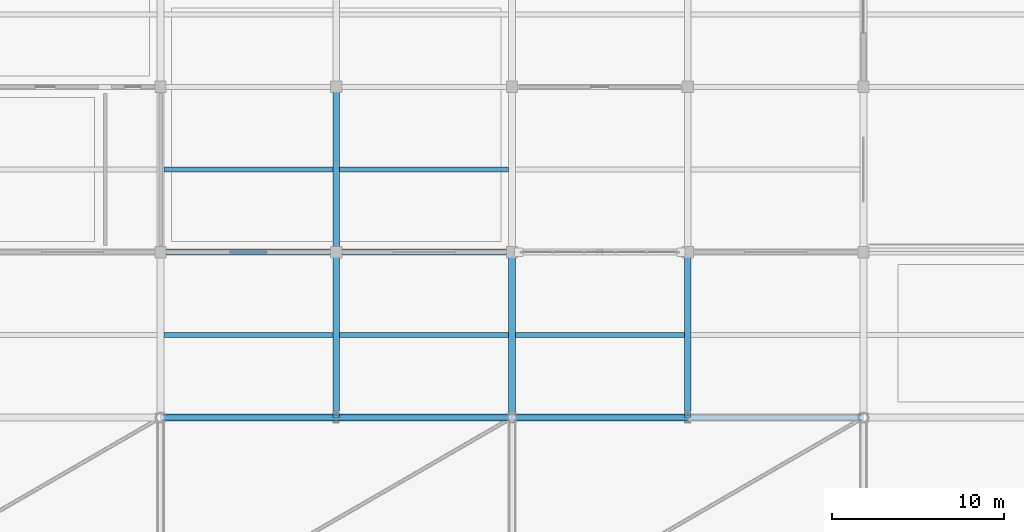
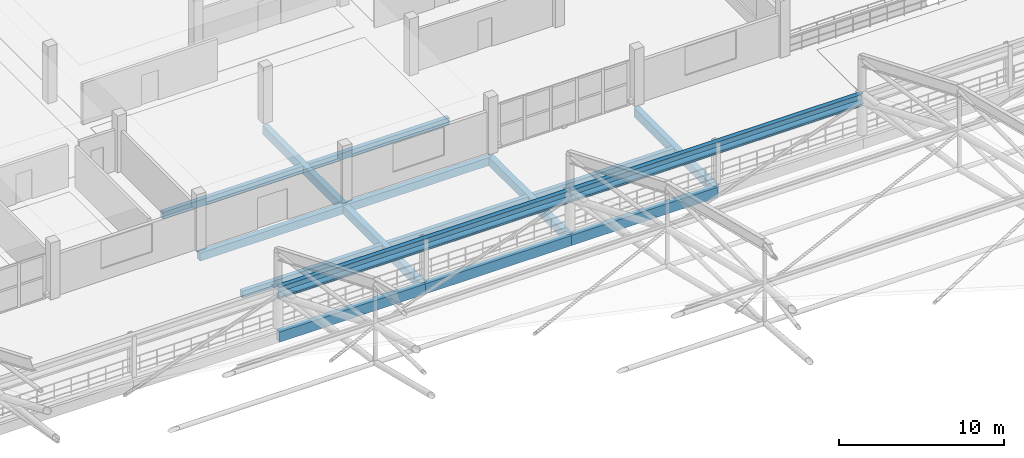
# One storey, part 43 of 135: 16 beams, 2 members.
"""IFC4 building model written with IfcOpenShell, lengths in metres."""

from ifc_helpers import new_model, si_unit, direction, frame, origin, origin_2d, place, context, subcontext, project, spatial, rectangle, hollow_circle, i_section, extrude, material, material_profile, profile_set, type_object, element, save


model = new_model("IFC4")

# Units and contexts
model_context = context("Model", 3, precision=1e-05, world=origin(), true_north=direction((0.0, 1.0)))
body_context = subcontext(model_context, "Body", "Model", "MODEL_VIEW")
ifc_project = project(units=[si_unit("LENGTHUNIT", "METRE"), si_unit("AREAUNIT", "SQUARE_METRE"), si_unit("VOLUMEUNIT", "CUBIC_METRE"), si_unit("PLANEANGLEUNIT", "RADIAN"), si_unit("MASSUNIT", "GRAM", prefix="KILO")], contexts=[model_context])

# Site, building, storey
site_placement = place(None, origin())
site = spatial("IfcSite", under=ifc_project, at=site_placement, CompositionType="ELEMENT")
building_placement = place(site_placement, origin())
building = spatial("IfcBuilding", under=site, at=building_placement, Name="Brelvane Convention Centre", CompositionType="ELEMENT")
storey_placement = place(building_placement, frame((0.0, 0.0, 15.0)))
storey = spatial("IfcBuildingStorey", under=building, at=storey_placement, Name="L03", CompositionType="ELEMENT", Elevation=15.0)

# Beams
ifc_material_1 = material(Name="Concrete M40", Category="concrete")
ifc_material_profile_1 = material_profile(ifc_material_1, rectangle(XDim=0.39990234375, YDim=0.75, at=origin_2d()), Name="RC 400x750")
ifc_profile_set_1 = profile_set([ifc_material_profile_1], Name="Concrete M40")
beam_type_1 = type_object("IfcBeamType", Name="RC Beam B-RC6 (RC 400x750)", PredefinedType="BEAM", material=ifc_profile_set_1)
beam_1_placement = place(storey_placement, frame((61.199951171875, 99.60009765625, -0.68505859375), z_axis=(1.0, 0.0, 0.0), x_axis=(0.0, 1.0, 0.0)))
element("IfcBeam", 1, at=beam_1_placement, inside=storey, type_object=beam_type_1, Name="L03 Beam 7-8/K", PredefinedType="BEAM", context=body_context, shape_type="SweptSolid", body=[
    extrude(rectangle(XDim=0.39990234375, YDim=0.75, at=origin_2d()), origin(), (0.0, 0.0, 1.0), 10.199951171875),
])
beam_2_placement = place(storey_placement, frame((71.39990234375, 99.60009765625, -0.68505859375), z_axis=(1.0, 0.0, 0.0), x_axis=(0.0, 1.0, 0.0)))
element("IfcBeam", 2, at=beam_2_placement, inside=storey, type_object=beam_type_1, Name="L03 Beam 8-9/K", PredefinedType="BEAM", context=body_context, shape_type="SweptSolid", body=[
    extrude(rectangle(XDim=0.39990234375, YDim=0.75, at=origin_2d()), origin(), (0.0, 0.0, 1.0), 10.2001953125),
])
beam_3_placement = place(storey_placement, frame((81.60009765625, 99.60009765625, -0.68505859375), z_axis=(1.0, 0.0, 0.0), x_axis=(0.0, 1.0, 0.0)))
element("IfcBeam", 3, at=beam_3_placement, inside=storey, type_object=beam_type_1, Name="L03 Beam 9-10/K", PredefinedType="BEAM", context=body_context, shape_type="SweptSolid", body=[
    extrude(rectangle(XDim=0.39990234375, YDim=0.75, at=origin_2d()), origin(), (0.0, 0.0, 1.0), 10.199951171875),
])
ifc_material_2 = material(Name="Concrete M40", Category="concrete")
ifc_material_profile_2 = material_profile(ifc_material_2, rectangle(XDim=0.39990234375, YDim=0.64990234375, at=origin_2d()), Name="RC 400x650")
ifc_profile_set_2 = profile_set([ifc_material_profile_2], Name="Concrete M40")
beam_type_2 = type_object("IfcBeamType", Name="RC Beam B-RC7 (RC 400x650)", PredefinedType="BEAM", material=ifc_profile_set_2)
beam_4_placement = place(storey_placement, frame((71.39990234375, 99.60009765625, -0.635009765625), z_axis=(0.0, 1.0, 0.0), x_axis=(-1.0, 0.0, 0.0)))
element("IfcBeam", 4, at=beam_4_placement, inside=storey, type_object=beam_type_2, Name="L03 Girder 8/K-L", PredefinedType="BEAM", context=body_context, shape_type="SweptSolid", body=[
    extrude(rectangle(XDim=0.39990234375, YDim=0.64990234375, at=origin_2d()), origin(), (0.0, 0.0, 1.0), 9.599853515625),
])
beam_5_placement = place(storey_placement, frame((71.39990234375, 109.199951171875, -0.6201171875), z_axis=(0.0, 1.0, 0.0), x_axis=(-1.0, 0.0, 0.0)))
element("IfcBeam", 5, at=beam_5_placement, inside=storey, type_object=beam_type_2, Name="L03 Girder 8/L-M", PredefinedType="BEAM", context=body_context, shape_type="SweptSolid", body=[
    extrude(rectangle(XDim=0.39990234375, YDim=0.64990234375, at=origin_2d()), origin(), (0.0, 0.0, 1.0), 9.60009765625),
])
for number, where, z_axis, x_axis, name in (
    (6, (81.60009765625, 99.60009765625, -0.635009765625), (0.0, 1.0, 0.0), (-1.0, 0.0, 0.0), "L03 Girder 9/K-L"),
    (7, (91.800048828125, 99.60009765625, -0.635009765625), (0.0, 1.0, 0.0), (-1.0, 0.0, 0.0), "L03 Girder 10/K-L"),
):
    element("IfcBeam", number, at=place(storey_placement, frame(where, z_axis=z_axis, x_axis=x_axis)), inside=storey, type_object=beam_type_2, Name=name, PredefinedType="BEAM", context=body_context, shape_type="SweptSolid", body=[
        extrude(rectangle(XDim=0.39990234375, YDim=0.64990234375, at=origin_2d()), origin(), (0.0, 0.0, 1.0), 9.599853515625),
    ])
ifc_material_3 = material(Name="Concrete M40", Category="concrete")
ifc_material_profile_3 = material_profile(ifc_material_3, rectangle(XDim=0.300048828125, YDim=0.5, at=origin_2d()), Name="RC 300x500")
ifc_profile_set_3 = profile_set([ifc_material_profile_3], Name="Concrete M40")
beam_type_3 = type_object("IfcBeamType", Name="RC Joist J-RC2 (RC 300x500)", PredefinedType="JOIST", material=ifc_profile_set_3)
for number, where, z_axis, x_axis, name in (
    (8, (61.39990234375, 104.39990234375, -0.56005859375), (1.0, 0.0, 0.0), (0.0, 1.0, 0.0), "L03 Secondary Joist 7-8/KL"),
    (9, (61.39990234375, 114.0, -0.544921875), (1.0, 0.0, 0.0), (0.0, 1.0, 0.0), "L03 Secondary Joist 7-8/LM"),
):
    element("IfcBeam", number, at=place(storey_placement, frame(where, z_axis=z_axis, x_axis=x_axis)), inside=storey, type_object=beam_type_3, Name=name, PredefinedType="JOIST", context=body_context, shape_type="SweptSolid", body=[
        extrude(rectangle(XDim=0.300048828125, YDim=0.5, at=origin_2d()), origin(), (0.0, 0.0, 1.0), 9.800048828125),
    ])
for number, where, z_axis, x_axis, name in (
    (10, (71.60009765625, 104.39990234375, -0.56005859375), (1.0, 0.0, 0.0), (0.0, 1.0, 0.0), "L03 Secondary Joist 8-9/KL"),
    (11, (71.60009765625, 114.0, -0.544921875), (1.0, 0.0, 0.0), (0.0, 1.0, 0.0), "L03 Secondary Joist 8-9/LM"),
):
    element("IfcBeam", number, at=place(storey_placement, frame(where, z_axis=z_axis, x_axis=x_axis)), inside=storey, type_object=beam_type_3, Name=name, PredefinedType="JOIST", context=body_context, shape_type="SweptSolid", body=[
        extrude(rectangle(XDim=0.300048828125, YDim=0.5, at=origin_2d()), origin(), (0.0, 0.0, 1.0), 9.7998046875),
    ])
beam_6_placement = place(storey_placement, frame((81.800048828125, 104.39990234375, -0.56005859375), z_axis=(1.0, 0.0, 0.0), x_axis=(0.0, 1.0, 0.0)))
element("IfcBeam", 12, at=beam_6_placement, inside=storey, type_object=beam_type_3, Name="L03 Secondary Joist 9-10/KL", PredefinedType="JOIST", context=body_context, shape_type="SweptSolid", body=[
    extrude(rectangle(XDim=0.300048828125, YDim=0.5, at=origin_2d()), origin(), (0.0, 0.0, 1.0), 9.800048828125),
])
ifc_material_4 = material(Name="Concrete M40", Category="concrete")
ifc_material_profile_4 = material_profile(ifc_material_4, rectangle(XDim=0.35009765625, YDim=0.60009765625, at=origin_2d()), Name="RC 350x600")
ifc_profile_set_4 = profile_set([ifc_material_profile_4], Name="Concrete M40")
beam_type_4 = type_object("IfcBeamType", Name="RC Spandrel SP-RC2 (RC 350x600)", PredefinedType="SPANDREL", material=ifc_profile_set_4)
beam_7_placement = place(storey_placement, frame((61.199951171875, 109.199951171875, -0.610107421875), z_axis=(1.0, 0.0, 0.0), x_axis=(0.0, 1.0, 0.0)))
element("IfcBeam", 13, at=beam_7_placement, inside=storey, type_object=beam_type_4, Name="L03 Beam 7-8/L", PredefinedType="SPANDREL", context=body_context, shape_type="SweptSolid", body=[
    extrude(rectangle(XDim=0.35009765625, YDim=0.60009765625, at=origin_2d()), origin(), (0.0, 0.0, 1.0), 10.199951171875),
])
beam_8_placement = place(storey_placement, frame((71.39990234375, 109.199951171875, -0.610107421875), z_axis=(1.0, 0.0, 0.0), x_axis=(0.0, 1.0, 0.0)))
element("IfcBeam", 14, at=beam_8_placement, inside=storey, type_object=beam_type_4, Name="L03 Beam 8-9/L", PredefinedType="SPANDREL", context=body_context, shape_type="SweptSolid", body=[
    extrude(rectangle(XDim=0.35009765625, YDim=0.60009765625, at=origin_2d()), origin(), (0.0, 0.0, 1.0), 10.2001953125),
])
ifc_material_5 = material(Name="Steel E450 (450 MPa)", Category="steel")
ifc_material_profile_5 = material_profile(ifc_material_5, i_section(OverallWidth=0.300048828125, OverallDepth=0.89990234375, WebThickness=0.0166015625, FlangeThickness=0.031982421875, FilletRadius=0.027099609375, at=origin_2d()), Name="NPB 900x300")
ifc_profile_set_5 = profile_set([ifc_material_profile_5], Name="Steel E450 (450 MPa)")
beam_type_5 = type_object("IfcBeamType", Name="Steel Beam B-ST1 (NPB 900x300)", PredefinedType="BEAM", material=ifc_profile_set_5)
beam_9_placement = place(storey_placement, frame((61.199951171875, 99.60009765625, 2.550048828125), z_axis=(1.0, 0.0, 0.0), x_axis=(0.0, 1.0, 0.0)))
element("IfcBeam", 15, at=beam_9_placement, inside=storey, type_object=beam_type_5, Name="SF_EXH Eaves Ring Girder N-4", PredefinedType="BEAM", context=body_context, shape_type="SweptSolid", body=[
    extrude(i_section(OverallWidth=0.300048828125, OverallDepth=0.89990234375, WebThickness=0.0166015625, FlangeThickness=0.031982421875, FilletRadius=0.027099609375, at=origin_2d()), origin(), (0.0, 0.0, 1.0), 20.400146484375),
])
beam_10_placement = place(storey_placement, frame((81.60009765625, 99.60009765625, 2.550048828125), z_axis=(1.0, 0.0, 0.0), x_axis=(0.0, 1.0, 0.0)))
element("IfcBeam", 16, at=beam_10_placement, inside=storey, type_object=beam_type_5, Name="SF_EXH Eaves Ring Girder N-5", PredefinedType="BEAM", context=body_context, shape_type="SweptSolid", body=[
    extrude(i_section(OverallWidth=0.300048828125, OverallDepth=0.89990234375, WebThickness=0.0166015625, FlangeThickness=0.031982421875, FilletRadius=0.027099609375, at=origin_2d()), origin(), (0.0, 0.0, 1.0), 20.39990234375),
])

# Members
ifc_material_6 = material(Name="Steel E450 (450 MPa)", Category="steel")
ifc_material_profile_6 = material_profile(ifc_material_6, hollow_circle(Radius=0.177734375, WallThickness=0.01611328125, at=origin_2d()), Name="CHS 355.6x16.0")
ifc_profile_set_6 = profile_set([ifc_material_profile_6], Name="Steel E450 (450 MPa)")
member_type = type_object("IfcMemberType", Name="Steel Chord SF-TC2 (CHS 355.6x16.0)", PredefinedType="CHORD", material=ifc_profile_set_6)
member_1_placement = place(storey_placement, frame((61.199951171875, 99.60009765625, 2.340087890625), z_axis=(1.0, 0.0, 0.0), x_axis=(0.0, 1.0, 0.0)))
element("IfcMember", 17, at=member_1_placement, inside=storey, type_object=member_type, Name="SF_EXH Longitudinal Top Chord LT4.7", PredefinedType="CHORD", context=body_context, shape_type="SweptSolid", body=[
    extrude(hollow_circle(Radius=0.177734375, WallThickness=0.01611328125, at=origin_2d()), origin(), (0.0, 0.0, 1.0), 20.400146484375),
])
member_2_placement = place(storey_placement, frame((81.60009765625, 99.60009765625, 2.340087890625), z_axis=(1.0, 0.0, 0.0), x_axis=(0.0, 1.0, 0.0)))
element("IfcMember", 18, at=member_2_placement, inside=storey, type_object=member_type, Name="SF_EXH Longitudinal Top Chord LT5.7", PredefinedType="CHORD", context=body_context, shape_type="SweptSolid", body=[
    extrude(hollow_circle(Radius=0.177734375, WallThickness=0.01611328125, at=origin_2d()), origin(), (0.0, 0.0, 1.0), 20.39990234375),
])

save(model, "model.ifc")
